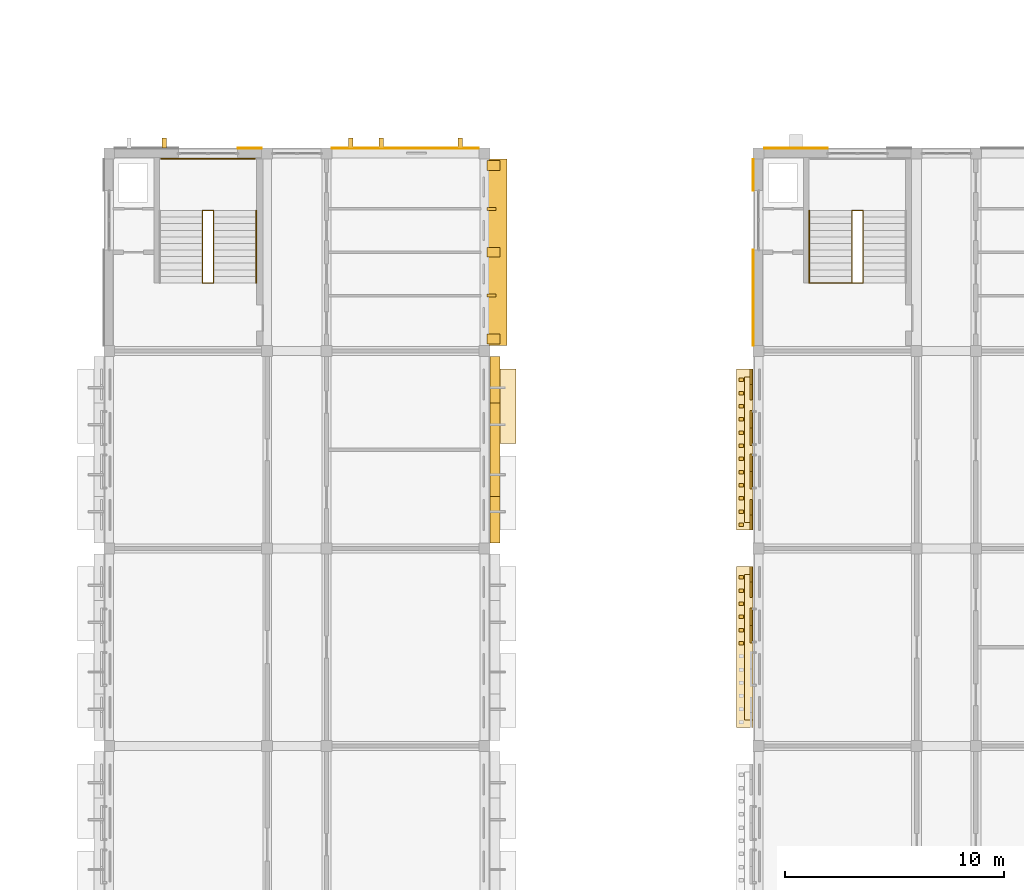
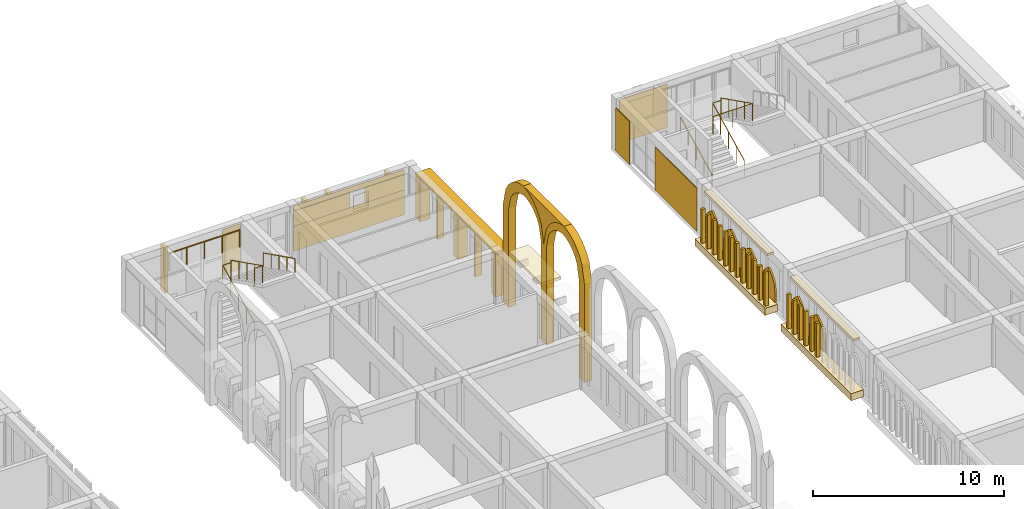
# One storey, part 61 of 70: 42 coverings, 7 shading devices, 5 railings.
"""IFC4 building model written with IfcOpenShell, lengths in metres."""

import ifcopenshell
import ifcopenshell.guid

model = None  # the IFC model being written
_history = None  # IfcOwnerHistory: only IFC2X3 demands one
_inside = {}  # id of a spatial element -> (the spatial element, [elements in it])
_under = {}  # id of a project, library or spatial element -> (it, [spatial elements below it])
_declared = {}  # id of a project -> (the project, [libraries it declares])
_typed = {}  # id of a type object -> (the type object, [elements of that type])
_made_of = {}  # id of a material, layer set ... -> (it, [elements and type objects made of it])


def new_model(schema):
    """Start an empty IFC model of exactly this schema.

    Asked for "IFC4X3", IfcOpenShell would pick the latest addendum, in which some entities
    have other attributes; the version numbers below select the first issue.
    IFC2X3 requires an IfcOwnerHistory on every rooted entity: one is made here for all.
    """
    global model, _history
    if schema == "IFC4X3":
        model = ifcopenshell.file(schema_version=(4, 3, 0, 0))
    else:
        model = ifcopenshell.file(schema=schema)
    _inside.clear()
    _under.clear()
    _declared.clear()
    _typed.clear()
    _made_of.clear()
    _history = None
    if model.schema == "IFC2X3":
        org = make("IfcOrganization", Name="unknown")
        user = make(
            "IfcPersonAndOrganization",
            ThePerson=make("IfcPerson", FamilyName="unknown"),
            TheOrganization=org,
        )
        app = make(
            "IfcApplication",
            ApplicationDeveloper=org,
            Version="unknown",
            ApplicationFullName="unknown",
            ApplicationIdentifier="unknown",
        )
        _history = make(
            "IfcOwnerHistory",
            OwningUser=user,
            OwningApplication=app,
            ChangeAction="ADDED",
            CreationDate=0,
        )
    return model


def make(cls, **values):
    """One entity of the class cls with the attributes given. An attribute that is None is left unset."""
    return model.create_entity(
        cls, **{name: value for name, value in values.items() if value is not None}
    )


def rooted(cls, **values):
    """An entity with a GlobalId (a new one), such as an element, a storey or a relation."""
    return make(cls, GlobalId=ifcopenshell.guid.new(), OwnerHistory=_history, **values)


def si_unit(unit_type, name, prefix=None):
    """IfcSIUnit, for example si_unit("LENGTHUNIT", "METRE", prefix="MILLI")."""
    return make("IfcSIUnit", UnitType=unit_type, Prefix=prefix, Name=name)


def assignment(units):
    """IfcUnitAssignment: the units of a project."""
    return None if units is None else make("IfcUnitAssignment", Units=units)


def point(xyz):
    """IfcCartesianPoint."""
    return None if xyz is None else make("IfcCartesianPoint", Coordinates=xyz)


def direction(xyz):
    """IfcDirection."""
    return None if xyz is None else make("IfcDirection", DirectionRatios=xyz)


def frame(location, z_axis=None, x_axis=None):
    """IfcAxis2Placement3D, a coordinate frame: its origin and axes. An axis left out is left unset."""
    return make(
        "IfcAxis2Placement3D",
        Location=point(location),
        Axis=direction(z_axis),
        RefDirection=direction(x_axis),
    )


def frame_2d(location, x_axis=None):
    """IfcAxis2Placement2D, a coordinate frame in the plane: its origin and x axis."""
    return make(
        "IfcAxis2Placement2D", Location=point(location), RefDirection=direction(x_axis)
    )


def origin():
    """The frame at (0, 0, 0) with its axes left unset."""
    return frame((0.0, 0.0, 0.0))


def origin_2d():
    """The frame at (0, 0) in the plane with its x axis left unset."""
    return frame_2d((0.0, 0.0))


def place(relative_to, where):
    """IfcLocalPlacement: puts the frame where relative to a parent placement (None: the world)."""
    return make(
        "IfcLocalPlacement", PlacementRelTo=relative_to, RelativePlacement=where
    )


def context(
    kind, dimensions, precision=None, world=None, true_north=None, identifier=None
):
    """IfcGeometricRepresentationContext, for example the 3D "Model" context."""
    return make(
        "IfcGeometricRepresentationContext",
        ContextIdentifier=identifier,
        ContextType=kind,
        CoordinateSpaceDimension=dimensions,
        Precision=precision,
        WorldCoordinateSystem=world,
        TrueNorth=true_north,
    )


def subcontext(parent, identifier, kind, view, scale=None):
    """IfcGeometricRepresentationSubContext, for example "Body" below "Model"."""
    return make(
        "IfcGeometricRepresentationSubContext",
        ContextIdentifier=identifier,
        ContextType=kind,
        ParentContext=parent,
        TargetScale=scale,
        TargetView=view,
    )


def project(units=None, contexts=None):
    """IfcProject with its units and contexts."""
    return rooted(
        "IfcProject",
        Name="project",
        RepresentationContexts=contexts,
        UnitsInContext=assignment(units),
    )


def spatial(cls, under=None, at=None, **own):
    """A site, building, storey or space (cls), placed at a placement, below another one or the project."""
    s = rooted(cls, ObjectPlacement=at, **own)
    if under is not None:
        _under.setdefault(under.id(), (under, []))[1].append(s)
    return s


def polyline(points):
    """IfcPolyline through the points."""
    return make("IfcPolyline", Points=[point(p) for p in points])


def profile(cls, at=None, kind="AREA", **sizes):
    """A parametric profile (cls). Its sizes go by their IFC names, for example OverallWidth=200.0."""
    return make(cls, ProfileType=kind, Position=at, **sizes)


def rectangle(**sizes):
    """IfcRectangleProfileDef."""
    return profile("IfcRectangleProfileDef", **sizes)


def circle(**sizes):
    """IfcCircleProfileDef."""
    return profile("IfcCircleProfileDef", **sizes)


def outline(outer, holes=None, kind="AREA"):
    """IfcArbitraryClosedProfileDef: a profile drawn as a closed curve; with holes, ...WithVoids."""
    if holes is None:
        return make("IfcArbitraryClosedProfileDef", ProfileType=kind, OuterCurve=outer)
    return make(
        "IfcArbitraryProfileDefWithVoids",
        ProfileType=kind,
        OuterCurve=outer,
        InnerCurves=holes,
    )


def extrude(swept, where, along, depth):
    """IfcExtrudedAreaSolid: the profile swept, set in the frame where, extruded along a direction by depth."""
    return make(
        "IfcExtrudedAreaSolid",
        SweptArea=swept,
        Position=where,
        ExtrudedDirection=direction(along),
        Depth=depth,
    )


def shape(context_of_items, identifier, shape_type, items):
    """IfcShapeRepresentation: the items that make up one representation, for example the "Body"."""
    return make(
        "IfcShapeRepresentation",
        ContextOfItems=context_of_items,
        RepresentationIdentifier=identifier,
        RepresentationType=shape_type,
        Items=items,
    )


def material(Name=None, Category=None):
    """IfcMaterial."""
    return make("IfcMaterial", Name=Name, Category=Category)


def layer(
    of_material, thickness, ventilated=None, Name=None, Category=None, Priority=None
):
    """IfcMaterialLayer: one layer of a wall or slab, of a material (None: an air gap)."""
    return make(
        "IfcMaterialLayer",
        Material=of_material,
        LayerThickness=thickness,
        IsVentilated=ventilated,
        Name=Name,
        Category=Category,
        Priority=Priority,
    )


def layer_set(layers, Name=None):
    """IfcMaterialLayerSet."""
    return make("IfcMaterialLayerSet", MaterialLayers=layers, LayerSetName=Name)


def made_of(thing, what):
    """Note that an element or type object is made of a material, layer set ...; save() writes the relation."""
    if what is not None:
        _made_of.setdefault(what.id(), (what, []))[1].append(thing)
    return thing


def type_object(cls, material=None, **own):
    """A type object (cls), such as IfcWallType, which elements share."""
    return made_of(rooted(cls, **own), material)


def element(
    cls,
    number,
    at=None,
    inside=None,
    cuts=None,
    type_object=None,
    material=None,
    context=None,
    identifier="Body",
    shape_type=None,
    held_by="IfcProductDefinitionShape",
    body=None,
    shapes=None,
    **own,
):
    """One element of the class cls, such as IfcWall. Its Tag is "e" and its number.

    at: its placement. inside: the storey or other place that contains it. cuts: it is an
    opening in that element (IfcRelVoidsElement). A single representation is given by context,
    identifier, shape_type and body (its items); several are given by shapes. held_by: the class
    of the entity that holds the representations. save() writes the other relations.
    """
    e = rooted(cls, Tag="e%d" % number, ObjectPlacement=at, **own)
    if body is not None:
        shapes = [shape(context, identifier, shape_type, body)]
    if shapes is not None:
        e.Representation = make(held_by, Representations=shapes)
    if inside is not None:
        _inside.setdefault(inside.id(), (inside, []))[1].append(e)
    if cuts is not None:
        rooted(
            "IfcRelVoidsElement", RelatingBuildingElement=cuts, RelatedOpeningElement=e
        )
    if type_object is not None:
        _typed.setdefault(type_object.id(), (type_object, []))[1].append(e)
    return made_of(e, material)


def aggregate(whole, parts):
    """IfcRelAggregates: a whole, such as a stair, and the parts it consists of."""
    return rooted("IfcRelAggregates", RelatingObject=whole, RelatedObjects=parts)


def save(model, path):
    """Write the relations noted so far, then the file.

    IfcRelAggregates (storeys below a building ...), IfcRelContainedInSpatialStructure (elements
    in a storey), IfcRelDefinesByType, IfcRelAssociatesMaterial and IfcRelDeclares: one each for
    every whole, place, type object, material and project.
    """
    for whole, parts in _under.values():
        aggregate(whole, parts)
    for where, things in _inside.values():
        rooted(
            "IfcRelContainedInSpatialStructure",
            RelatedElements=things,
            RelatingStructure=where,
        )
    for kind, things in _typed.values():
        rooted("IfcRelDefinesByType", RelatedObjects=things, RelatingType=kind)
    for what, things in _made_of.values():
        rooted("IfcRelAssociatesMaterial", RelatedObjects=things, RelatingMaterial=what)
    for by, libraries in _declared.values():
        rooted("IfcRelDeclares", RelatingContext=by, RelatedDefinitions=libraries)
    model.write(path)


model = new_model("IFC4")

# Units and contexts
model_context = context("Model", 3, precision=1e-05, world=origin(), true_north=direction((0.0, 1.0)))
body_context = subcontext(model_context, "Body", "Model", "MODEL_VIEW")
ifc_project = project(units=[si_unit("LENGTHUNIT", "METRE"), si_unit("AREAUNIT", "SQUARE_METRE"), si_unit("VOLUMEUNIT", "CUBIC_METRE"), si_unit("PLANEANGLEUNIT", "RADIAN"), si_unit("MASSUNIT", "GRAM", prefix="KILO")], contexts=[model_context])

# Site, building, storey
site_placement = place(None, origin())
site = spatial("IfcSite", under=ifc_project, at=site_placement, CompositionType="ELEMENT")
building_placement = place(site_placement, origin())
building = spatial("IfcBuilding", under=site, at=building_placement, Name="Elbe Cascade School", CompositionType="ELEMENT")
storey_placement = place(building_placement, frame((0.0, 0.0, 8.10009765625)))
storey = spatial("IfcBuildingStorey", under=building, at=storey_placement, Name="L02", CompositionType="ELEMENT", Elevation=8.10009765625)

# Railings
ifc_material_1 = material(Name="Steel S355J2H, painted", Category="steel")
railing_type_1 = type_object("IfcRailingType", Name="Bar stair guard 1100", PredefinedType="GUARDRAIL", material=ifc_material_1)
railing_1_placement = place(storey_placement, frame((102.85009765625, 54.10009765625, 0.14990234375)))
element("IfcRailing", 1, at=railing_1_placement, inside=storey, type_object=railing_type_1, Name="Stair guard B2.N", PredefinedType="GUARDRAIL", context=body_context, shape_type="SweptSolid", body=[
    extrude(circle(Radius=0.02392578125, at=origin_2d()), frame((0.0, 0.0, 1.09619140625), z_axis=(0.0, 0.894427191, 0.4472135955), x_axis=(-1.0, 0.0, 0.0)), (0.0, 0.0, 1.0), 3.689208984375),
    extrude(circle(Radius=0.02392578125, at=origin_2d()), frame((0.0, 3.2998046875, 2.74609375), z_axis=(1.0, 0.0, 0.0), x_axis=(0.0, 1.0, 0.0)), (0.0, 0.0, 1.0), 0.5),
    extrude(circle(Radius=0.02392578125, at=origin_2d()), frame((0.5, 3.2998046875, 2.74609375), z_axis=(0.0, 0.0, 1.0), x_axis=(1.0, 0.0, 0.0)), (0.0, 0.0, 1.0), 0.150146484375),
    extrude(circle(Radius=0.02392578125, at=origin_2d()), frame((0.5, 3.2998046875, 2.89599609375), z_axis=(0.0, -0.894427191, 0.4472135955), x_axis=(1.0, 0.0, 0.0)), (0.0, 0.0, 1.0), 3.689208984375),
    extrude(circle(Radius=0.02392578125, at=origin_2d()), frame((0.5, 0.0, 4.5458984375), z_axis=(-1.0, 0.0, 0.0), x_axis=(0.0, -1.0, 0.0)), (0.0, 0.0, 1.0), 0.5),
    extrude(circle(Radius=0.02099609375, at=origin_2d()), origin(), (0.0, 0.0, 1.0), 1.072021484375),
    extrude(circle(Radius=0.02099609375, at=origin_2d()), frame((0.0, 0.824951171875, 0.41259765625)), (0.0, 0.0, 1.0), 1.072021484375),
    extrude(circle(Radius=0.02099609375, at=origin_2d()), frame((0.0, 1.64990234375, 0.824951171875)), (0.0, 0.0, 1.0), 1.072021484375),
    extrude(circle(Radius=0.02099609375, at=origin_2d()), frame((0.0, 2.474853515625, 1.2373046875)), (0.0, 0.0, 1.0), 1.072021484375),
    extrude(circle(Radius=0.02099609375, at=origin_2d()), frame((0.0, 3.2998046875, 1.64990234375)), (0.0, 0.0, 1.0), 1.072021484375),
    extrude(circle(Radius=0.02099609375, at=origin_2d()), frame((0.5, 3.2998046875, 1.64990234375)), (0.0, 0.0, 1.0), 1.072021484375),
    extrude(circle(Radius=0.02099609375, at=origin_2d()), frame((0.5, 3.2998046875, 1.800048828125)), (0.0, 0.0, 1.0), 1.072021484375),
    extrude(circle(Radius=0.02099609375, at=origin_2d()), frame((0.5, 2.474853515625, 2.21240234375)), (0.0, 0.0, 1.0), 1.072021484375),
    extrude(circle(Radius=0.02099609375, at=origin_2d()), frame((0.5, 1.64990234375, 2.625)), (0.0, 0.0, 1.0), 1.072021484375),
    extrude(circle(Radius=0.02099609375, at=origin_2d()), frame((0.5, 0.824951171875, 3.03759765625)), (0.0, 0.0, 1.0), 1.072021484375),
    extrude(circle(Radius=0.02099609375, at=origin_2d()), frame((0.5, 0.0, 3.449951171875)), (0.0, 0.0, 1.0), 1.072021484375),
    extrude(circle(Radius=0.02099609375, at=origin_2d()), frame((0.0, 0.0, 3.449951171875)), (0.0, 0.0, 1.0), 1.072021484375),
])
railing_2_placement = place(storey_placement, frame((100.9599609375, 59.760009765625, 1.7998046875)))
element("IfcRailing", 2, at=railing_2_placement, inside=storey, type_object=railing_type_1, Name="Stair guard B2.N", PredefinedType="GUARDRAIL", context=body_context, shape_type="SweptSolid", body=[
    extrude(circle(Radius=0.02392578125, at=origin_2d()), frame((0.0, 0.0, 1.09619140625), z_axis=(1.0, 0.0, 0.0), x_axis=(0.0, 1.0, 0.0)), (0.0, 0.0, 1.0), 4.280029296875),
    extrude(circle(Radius=0.02099609375, at=origin_2d()), origin(), (0.0, 0.0, 1.0), 1.072021484375),
    extrude(circle(Radius=0.02099609375, at=origin_2d()), frame((1.070068359375, 0.0, 0.0)), (0.0, 0.0, 1.0), 1.072021484375),
    extrude(circle(Radius=0.02099609375, at=origin_2d()), frame((2.14013671875, 0.0, 0.0)), (0.0, 0.0, 1.0), 1.072021484375),
    extrude(circle(Radius=0.02099609375, at=origin_2d()), frame((3.2099609375, 0.0, 0.0)), (0.0, 0.0, 1.0), 1.072021484375),
    extrude(circle(Radius=0.02099609375, at=origin_2d()), frame((4.280029296875, 0.0, 0.0)), (0.0, 0.0, 1.0), 1.072021484375),
])
railing_3_placement = place(storey_placement, frame((132.449951171875, 54.10009765625, 0.14990234375)))
element("IfcRailing", 3, at=railing_3_placement, inside=storey, type_object=railing_type_1, Name="Stair guard C2.N", PredefinedType="GUARDRAIL", context=body_context, shape_type="SweptSolid", body=[
    extrude(circle(Radius=0.02392578125, at=origin_2d()), frame((0.0, 0.0, 1.09619140625), z_axis=(0.0, 0.894427191, 0.4472135955), x_axis=(-1.0, 0.0, 0.0)), (0.0, 0.0, 1.0), 3.689208984375),
    extrude(circle(Radius=0.02392578125, at=origin_2d()), frame((0.0, 3.2998046875, 2.74609375), z_axis=(1.0, 0.0, 0.0), x_axis=(0.0, 1.0, 0.0)), (0.0, 0.0, 1.0), 0.5),
    extrude(circle(Radius=0.02392578125, at=origin_2d()), frame((0.5, 3.2998046875, 2.74609375), z_axis=(0.0, 0.0, 1.0), x_axis=(1.0, 0.0, 0.0)), (0.0, 0.0, 1.0), 0.150146484375),
    extrude(circle(Radius=0.02392578125, at=origin_2d()), frame((0.5, 3.2998046875, 2.89599609375), z_axis=(0.0, -0.894427191, 0.4472135955), x_axis=(1.0, 0.0, 0.0)), (0.0, 0.0, 1.0), 3.689208984375),
    extrude(circle(Radius=0.02392578125, at=origin_2d()), frame((0.5, 0.0, 4.5458984375), z_axis=(-1.0, 0.0, 0.0), x_axis=(0.0, -1.0, 0.0)), (0.0, 0.0, 1.0), 2.389892578125),
    extrude(circle(Radius=0.02099609375, at=origin_2d()), origin(), (0.0, 0.0, 1.0), 1.072021484375),
    extrude(circle(Radius=0.02099609375, at=origin_2d()), frame((0.0, 0.824951171875, 0.41259765625)), (0.0, 0.0, 1.0), 1.072021484375),
    extrude(circle(Radius=0.02099609375, at=origin_2d()), frame((0.0, 1.64990234375, 0.824951171875)), (0.0, 0.0, 1.0), 1.072021484375),
    extrude(circle(Radius=0.02099609375, at=origin_2d()), frame((0.0, 2.474853515625, 1.2373046875)), (0.0, 0.0, 1.0), 1.072021484375),
    extrude(circle(Radius=0.02099609375, at=origin_2d()), frame((0.0, 3.2998046875, 1.64990234375)), (0.0, 0.0, 1.0), 1.072021484375),
    extrude(circle(Radius=0.02099609375, at=origin_2d()), frame((0.5, 3.2998046875, 1.64990234375)), (0.0, 0.0, 1.0), 1.072021484375),
    extrude(circle(Radius=0.02099609375, at=origin_2d()), frame((0.5, 3.2998046875, 1.800048828125)), (0.0, 0.0, 1.0), 1.072021484375),
    extrude(circle(Radius=0.02099609375, at=origin_2d()), frame((0.5, 2.474853515625, 2.21240234375)), (0.0, 0.0, 1.0), 1.072021484375),
    extrude(circle(Radius=0.02099609375, at=origin_2d()), frame((0.5, 1.64990234375, 2.625)), (0.0, 0.0, 1.0), 1.072021484375),
    extrude(circle(Radius=0.02099609375, at=origin_2d()), frame((0.5, 0.824951171875, 3.03759765625)), (0.0, 0.0, 1.0), 1.072021484375),
    extrude(circle(Radius=0.02099609375, at=origin_2d()), frame((0.5, 0.0, 3.449951171875)), (0.0, 0.0, 1.0), 1.072021484375),
    extrude(circle(Radius=0.02099609375, at=origin_2d()), frame((-0.69482421875, 0.0, 3.449951171875)), (0.0, 0.0, 1.0), 1.072021484375),
    extrude(circle(Radius=0.02099609375, at=origin_2d()), frame((-1.889892578125, 0.0, 3.449951171875)), (0.0, 0.0, 1.0), 1.072021484375),
])
ifc_material_2 = material(Name="Steel S355J2H, painted", Category="steel")
railing_type_2 = type_object("IfcRailingType", Name="Bar stair handrail 900", PredefinedType="HANDRAIL", material=ifc_material_2)
railing_4_placement = place(storey_placement, frame((105.300048828125, 57.39990234375, 1.949951171875)))
element("IfcRailing", 4, at=railing_4_placement, inside=storey, type_object=railing_type_2, Name="Stair handrail B2.N", PredefinedType="HANDRAIL", context=body_context, shape_type="SweptSolid", body=[
    extrude(circle(Radius=0.02392578125, at=origin_2d()), frame((0.0, 0.0, 0.8759765625), z_axis=(0.0, -0.894427191, 0.4472135955), x_axis=(1.0, 0.0, 0.0)), (0.0, 0.0, 1.0), 3.689208984375),
    extrude(circle(Radius=0.02099609375, at=origin_2d()), origin(), (0.0, 0.0, 1.0), 0.851806640625),
    extrude(circle(Radius=0.02099609375, at=origin_2d()), frame((0.0, -0.824951171875, 0.41259765625)), (0.0, 0.0, 1.0), 0.851806640625),
    extrude(circle(Radius=0.02099609375, at=origin_2d()), frame((0.0, -1.64990234375, 0.824951171875)), (0.0, 0.0, 1.0), 0.851806640625),
    extrude(circle(Radius=0.02099609375, at=origin_2d()), frame((0.0, -2.474853515625, 1.2373046875)), (0.0, 0.0, 1.0), 0.851806640625),
    extrude(circle(Radius=0.02099609375, at=origin_2d()), frame((0.0, -3.2998046875, 1.64990234375)), (0.0, 0.0, 1.0), 0.851806640625),
])
railing_5_placement = place(storey_placement, frame((130.5, 54.10009765625, 0.14990234375)))
element("IfcRailing", 5, at=railing_5_placement, inside=storey, type_object=railing_type_2, Name="Stair handrail C2.N", PredefinedType="HANDRAIL", context=body_context, shape_type="SweptSolid", body=[
    extrude(circle(Radius=0.02392578125, at=origin_2d()), frame((0.0, 0.0, 0.8759765625), z_axis=(0.0, 0.894427191, 0.4472135955), x_axis=(-1.0, 0.0, 0.0)), (0.0, 0.0, 1.0), 3.689208984375),
    extrude(circle(Radius=0.02099609375, at=origin_2d()), origin(), (0.0, 0.0, 1.0), 0.851806640625),
    extrude(circle(Radius=0.02099609375, at=origin_2d()), frame((0.0, 0.824951171875, 0.41259765625)), (0.0, 0.0, 1.0), 0.851806640625),
    extrude(circle(Radius=0.02099609375, at=origin_2d()), frame((0.0, 1.64990234375, 0.824951171875)), (0.0, 0.0, 1.0), 0.851806640625),
    extrude(circle(Radius=0.02099609375, at=origin_2d()), frame((0.0, 2.474853515625, 1.2373046875)), (0.0, 0.0, 1.0), 0.851806640625),
    extrude(circle(Radius=0.02099609375, at=origin_2d()), frame((0.0, 3.2998046875, 1.64990234375)), (0.0, 0.0, 1.0), 0.851806640625),
])

# Shading devices
ifc_material_3 = material(Name="Precast concrete C30/37", Category="concrete")
ifc_layer_1 = layer(ifc_material_3, 0.1201171875)
ifc_layer_set_1 = layer_set([ifc_layer_1], Name="Precast concrete C30/37")
shading_device_type_1 = type_object("IfcShadingDeviceType", Name="Bars envelope Chhajja eave, precast concrete, 900 x 120", PredefinedType="USERDEFINED", material=ifc_layer_set_1)
shading_device_1_placement = place(storey_placement, frame((116.27001953125, 55.5, 2.729736328125), z_axis=(0.0, 0.0, 1.0), x_axis=(0.0, 1.0, 0.0)))
element("IfcShadingDevice", 6, at=shading_device_1_placement, inside=storey, type_object=shading_device_type_1, Name="Chhajja eave SD2 B.L02.e6", ObjectType="CHHAJJA", PredefinedType="USERDEFINED", context=body_context, shape_type="SweptSolid", body=[
    extrude(rectangle(XDim=8.5, YDim=0.89990234375, at=origin_2d()), origin(), (0.0, 0.0, 1.0), 0.1201171875),
])
ifc_material_4 = material(Name="Precast concrete C40/50", Category="concrete")
ifc_layer_2 = layer(ifc_material_4, 0.10009765625)
ifc_layer_set_2 = layer_set([ifc_layer_2], Name="Precast concrete C40/50")
shading_device_type_2 = type_object("IfcShadingDeviceType", Name="Bars envelope Jali screen 1400 x 1840, pointed arch rise 1200, pierced precast concrete", PredefinedType="USERDEFINED", material=ifc_layer_set_2)
shading_device_2_placement = place(storey_placement, frame((127.800048828125, 39.77001953125, 1.239990234375), z_axis=(-1.0, 0.0, 0.0), x_axis=(0.0, 0.178010233327, 0.984028636184)))
element("IfcShadingDevice", 7, at=shading_device_2_placement, inside=storey, type_object=shading_device_type_2, Name="Jali screen SD6 C.L02.w4.4", ObjectType="JALI", PredefinedType="USERDEFINED", context=body_context, shape_type="SweptSolid", body=[
    extrude(outline(polyline([(0.0, 0.0), (0.4909961754247877, 0.0), (0.6925449640407739, 0.05260897455936113), (0.8428788821146216, 0.11423458756170396), (0.9653882612323997, 0.18114174736631955), (1.0691153542525929, 0.2511985091151042), (1.1586682066636846, 0.32381938311151803), (1.2367329330241117, 0.3987665558959881), (1.3053847865709356, 0.4751684089694145), (1.26789341576225, 0.5710196155015056), (1.2209891721399608, 0.6683255023225533), (1.1625533429373862, 0.767717446565401), (1.0899867326553312, 0.869913744422134), (0.9986378362756912, 0.9752596442230361), (0.8794644009399817, 1.0858870908262108), (0.7090760950621335, 1.205531175872367), (0.2491969428458631, 1.3775439941116288), (-0.38071591947724304, 1.491494880777456), (-0.6299128623231062, 0.11395088666582719), (0.0, 0.0)])), origin(), (0.0, 0.0, -1.0), 0.10009765625),
])
shading_device_3_placement = place(storey_placement, frame((127.800048828125, 42.830078125, 1.239990234375), z_axis=(-1.0, 0.0, 0.0), x_axis=(0.0, 0.178010233327, 0.984028636184)))
element("IfcShadingDevice", 8, at=shading_device_3_placement, inside=storey, type_object=shading_device_type_2, Name="Jali screen SD6 C.L02.w5.1", ObjectType="JALI", PredefinedType="USERDEFINED", context=body_context, shape_type="SweptSolid", body=[
    extrude(outline(polyline([(0.0, 0.0), (0.4909961754247877, 0.0), (0.6925015045111531, 0.05236873319310516), (0.8428788821146216, 0.11423458756170396), (0.9653448017027789, 0.1809015060000636), (1.0691153542525929, 0.2511985091151042), (1.1586682066636846, 0.32381938311151803), (1.2366894734944909, 0.3985263145297321), (1.3053847865709356, 0.4751684089694145), (1.267849956232629, 0.5707793741352497), (1.2209891721399608, 0.6683255023225533), (1.1625533429373862, 0.767717446565401), (1.0899432731257104, 0.8696735030558779), (0.9986378362756912, 0.9752596442230361), (0.8794209414103609, 1.0856468494599547), (0.7090760950621335, 1.205531175872367), (0.2491969428458631, 1.3775439941116288), (-0.38071591947724304, 1.491494880777456), (-0.6299128623231062, 0.11395088666582719), (0.0, 0.0)])), origin(), (0.0, 0.0, -1.0), 0.10009765625),
])
shading_device_4_placement = place(storey_placement, frame((127.800048828125, 48.77001953125, 1.239990234375), z_axis=(-1.0, 0.0, 0.0), x_axis=(0.0, 0.178010233327, 0.984028636184)))
element("IfcShadingDevice", 9, at=shading_device_4_placement, inside=storey, type_object=shading_device_type_2, Name="Jali screen SD6 C.L02.w5.4", ObjectType="JALI", PredefinedType="USERDEFINED", context=body_context, shape_type="SweptSolid", body=[
    extrude(outline(polyline([(0.0, 0.0), (0.4909961754247877, 0.0), (0.6925449640407739, 0.05260897455936113), (0.8428788821146216, 0.11423458756170396), (0.9653882612323997, 0.18114174736631955), (1.0691153542525929, 0.2511985091151042), (1.1586682066636846, 0.32381938311151803), (1.2367329330241117, 0.3987665558959881), (1.3053847865709356, 0.4751684089694145), (1.26789341576225, 0.5710196155015056), (1.2209891721399608, 0.6683255023225533), (1.1625533429373862, 0.767717446565401), (1.0899867326553312, 0.869913744422134), (0.9986378362756912, 0.9752596442230361), (0.8794644009399817, 1.0858870908262108), (0.7090760950621335, 1.205531175872367), (0.2491969428458631, 1.3775439941116288), (-0.38071591947724304, 1.491494880777456), (-0.6299128623231062, 0.11395088666582719), (0.0, 0.0)])), origin(), (0.0, 0.0, -1.0), 0.10009765625),
])
ifc_material_5 = material(Name="Precast concrete C40/50", Category="concrete")
ifc_layer_3 = layer(ifc_material_5, 0.10009765625)
ifc_layer_set_3 = layer_set([ifc_layer_3], Name="Precast concrete C40/50")
shading_device_type_3 = type_object("IfcShadingDeviceType", Name="Bars envelope Jali screen 1600 x 1840, pointed arch rise 1200, pierced precast concrete", PredefinedType="USERDEFINED", material=ifc_layer_set_3)
for number, where, z_axis, x_axis, name in (
    (10, (127.800048828125, 37.68994140625, 1.239990234375), (-1.0, 0.0, 0.0), (0.0, 0.196300278283, 0.98054382908), "Jali screen SD7 C.L02.w4.3"),
    (11, (127.800048828125, 44.7099609375, 1.239990234375), (-1.0, 0.0, 0.0), (0.0, 0.196300278283, 0.98054382908), "Jali screen SD7 C.L02.w5.2"),
    (12, (127.800048828125, 46.68994140625, 1.239990234375), (-1.0, 0.0, 0.0), (0.0, 0.196300278283, 0.98054382908), "Jali screen SD7 C.L02.w5.3"),
):
    element("IfcShadingDevice", number, at=place(storey_placement, frame(where, z_axis=z_axis, x_axis=x_axis)), inside=storey, type_object=shading_device_type_3, Name=name, ObjectType="JALI", PredefinedType="USERDEFINED", context=body_context, shape_type="SweptSolid", body=[
        extrude(outline(polyline([(0.0, 0.0), (0.509921112317134, 0.0), (0.7184015554229473, 0.06009802405484588), (0.8733064327485943, 0.13117061016154), (0.9982874871653163, 0.20823380534668107), (1.102872417131342, 0.2891312241218946), (1.1917054934740825, 0.37343107507379947), (1.268281725197354, 0.45993570394643946), (1.3336545243794973, 0.5489321924158467), (1.3075801207519657, 0.6562359822289878), (1.2702064348380508, 0.7655528504723534), (1.220671754049922, 0.877553277802997), (1.155289369893253, 0.9924773561437888), (1.0696067110311427, 1.1117144392411962), (0.9540002292601073, 1.2369421314170506), (0.7847223319636507, 1.37266560447821), (0.31409961520112845, 1.5689658827607584), (-0.3135824941364835, 1.6946248987902608), (-0.6276821093376119, 0.12565901602950239), (0.0, 0.0)])), origin(), (0.0, 0.0, -1.0), 0.10009765625),
    ])

# Coverings
ifc_material_6 = material(Name="Precast concrete C40/50", Category="concrete")
covering_type_1 = type_object("IfcCoveringType", Name="Bars envelope Precast concrete fin, 140 wide, 400 deep", PredefinedType="CLADDING", material=ifc_material_6)
for number, where, z_axis, x_axis, name in (
    (13, (116.02001953125, 53.52001953125, 0.0), (0.0, 0.0, 1.0), (0.0, 1.0, 0.0), "Fin CV56 B.L02.e6.4"),
    (14, (116.02001953125, 57.47998046875, 0.0), (0.0, 0.0, 1.0), (0.0, 1.0, 0.0), "Fin CV56 B.L02.e6.5"),
):
    element("IfcCovering", number, at=place(storey_placement, frame(where, z_axis=z_axis, x_axis=x_axis)), inside=storey, type_object=covering_type_1, Name=name, PredefinedType="CLADDING", context=body_context, shape_type="SweptSolid", body=[
        extrude(rectangle(XDim=0.139892578125, YDim=0.39990234375, at=origin_2d()), origin(), (0.0, 0.0, 1.0), 2.72998046875),
    ])
ifc_material_7 = material(Name="Precast concrete C40/50", Category="concrete")
covering_type_2 = type_object("IfcCoveringType", Name="Bars envelope Precast concrete fin, 450 wide, 600 deep", PredefinedType="CLADDING", material=ifc_material_7)
for number, where, z_axis, x_axis, name in (
    (15, (116.1201171875, 51.5400390625, 0.0), (0.0, 0.0, 1.0), (0.0, 1.0, 0.0), "Fin CV55 B.L02.e6.1"),
    (16, (116.1201171875, 55.5, 0.0), (0.0, 0.0, 1.0), (0.0, 1.0, 0.0), "Fin CV55 B.L02.e6.2"),
    (17, (116.1201171875, 59.4599609375, 0.0), (0.0, 0.0, 1.0), (0.0, 1.0, 0.0), "Fin CV55 B.L02.e6.3"),
):
    element("IfcCovering", number, at=place(storey_placement, frame(where, z_axis=z_axis, x_axis=x_axis)), inside=storey, type_object=covering_type_2, Name=name, PredefinedType="CLADDING", context=body_context, shape_type="SweptSolid", body=[
        extrude(rectangle(XDim=0.449951171875, YDim=0.60009765625, at=origin_2d()), origin(), (0.0, 0.0, 1.0), 2.72998046875),
    ])
ifc_material_8 = material(Name="Precast concrete C40/50", Category="concrete")
covering_type_3 = type_object("IfcCoveringType", Name="Bars envelope Precast concrete gable fin, 200 wide, 450 deep", PredefinedType="CLADDING", material=ifc_material_8)
for number, where, z_axis, x_axis, name in (
    (18, (101.10009765625, 60.485107421875, 0.0), (0.0, 0.0, 1.0), (1.0, 0.0, 0.0), "Fin CV57 B.L02.n.2"),
    (19, (109.60009765625, 60.485107421875, 0.0), (0.0, 0.0, 1.0), (1.0, 0.0, 0.0), "Fin CV57 B.L02.n.3"),
    (20, (111.0, 60.485107421875, 0.0), (0.0, 0.0, 1.0), (1.0, 0.0, 0.0), "Fin CV57 B.L02.n.4"),
    (21, (114.60009765625, 60.485107421875, 0.0), (0.0, 0.0, 1.0), (1.0, 0.0, 0.0), "Fin CV57 B.L02.n.5"),
):
    element("IfcCovering", number, at=place(storey_placement, frame(where, z_axis=z_axis, x_axis=x_axis)), inside=storey, type_object=covering_type_3, Name=name, PredefinedType="CLADDING", context=body_context, shape_type="SweptSolid", body=[
        extrude(rectangle(XDim=0.199951171875, YDim=0.449951171875, at=origin_2d()), origin(), (0.0, 0.0, 1.0), 2.89990234375),
    ])
ifc_material_9 = material(Name="Sandstone - red", Category="masonry")
covering_type_4 = type_object("IfcCoveringType", Name="Bars envelope Sandstone arch frame double, 8500 wide, 450 deep", PredefinedType="CLADDING", material=ifc_material_9)
covering_1_placement = place(storey_placement, frame((116.39990234375, 42.830078125, 0.0), z_axis=(1.0, 0.0, 0.0), x_axis=(0.0, 0.0, 1.0)))
element("IfcCovering", 22, at=covering_1_placement, inside=storey, type_object=covering_type_4, Name="Arch frame CV58 B.L02.e5", PredefinedType="CLADDING", context=body_context, shape_type="SweptSolid", body=[
    extrude(outline(polyline([(0.0, 0.0), (6.2998046875, 0.0), (7.152099609375, -0.211181640625), (7.467529296875, -0.42236328125), (7.6826171875, -0.633544921875), (7.839599609375, -0.844970703125), (7.955078125, -1.05615234375), (8.03759765625, -1.267333984375), (8.091796875, -1.478515625), (8.119873046875, -1.68994140625), (8.091796875, -1.901123046875), (8.03759765625, -2.1123046875), (7.955078125, -2.32373046875), (7.839599609375, -2.534912109375), (7.6826171875, -2.74609375), (7.467529296875, -2.95751953125), (7.152099609375, -3.168701171875), (6.2998046875, -3.3798828125), (0.0, -3.3798828125), (0.0, -3.9599609375), (6.2998046875, -3.9599609375), (7.152099609375, -4.171142578125), (7.467529296875, -4.38232421875), (7.6826171875, -4.593505859375), (7.839599609375, -4.804931640625), (7.955078125, -5.01611328125), (8.03759765625, -5.2275390625), (8.091796875, -5.438720703125), (8.119873046875, -5.64990234375), (8.091796875, -5.861083984375), (8.03759765625, -6.072509765625), (7.955078125, -6.28369140625), (7.839599609375, -6.494873046875), (7.6826171875, -6.7060546875), (7.467529296875, -6.91748046875), (7.152099609375, -7.128662109375), (6.2998046875, -7.33984375), (0.0, -7.33984375), (0.0, -7.919921875), (6.2998046875, -7.919921875), (7.401611328125, -7.654296875), (7.81201171875, -7.388671875), (8.093994140625, -7.123046875), (8.302001953125, -6.857421875), (8.458251953125, -6.591796875), (8.572998046875, -6.326171875), (8.65234375, -6.060546875), (8.699951171875, -5.794921875), (8.65234375, -5.529296875), (8.572998046875, -5.263671875), (8.458251953125, -4.998046875), (8.302001953125, -4.732421875), (8.093994140625, -4.466796875), (7.81201171875, -4.201171875), (7.401611328125, -3.935546875), (6.2998046875, -3.669921875), (7.401611328125, -3.404296875), (7.81201171875, -3.138671875), (8.093994140625, -2.873046875), (8.302001953125, -2.607421875), (8.458251953125, -2.341796875), (8.572998046875, -2.076171875), (8.65234375, -1.810546875), (8.699951171875, -1.544921875), (8.65234375, -1.279296875), (8.572998046875, -1.013671875), (8.458251953125, -0.748046875), (8.302001953125, -0.482421875), (8.093994140625, -0.216796875), (7.81201171875, 0.048828125), (7.401611328125, 0.314453125), (6.2998046875, 0.580078125), (0.0, 0.580078125), (0.0, 0.0)])), origin(), (0.0, 0.0, -1.0), 0.449951171875),
])
ifc_material_10 = material(Name="Sandstone - red", Category="masonry")
covering_type_5 = type_object("IfcCoveringType", Name="Bars envelope Sandstone arch spandrel, 4250 wide, 450 deep", PredefinedType="CLADDING", material=ifc_material_10)
covering_2_placement = place(storey_placement, frame((116.39990234375, 46.765625, 7.401611328125), z_axis=(1.0, 0.0, 0.0), x_axis=(0.0, 0.543354809623, 0.839503157147)))
element("IfcCovering", 23, at=covering_2_placement, inside=storey, type_object=covering_type_5, Name="Arch spandrel CV59 B.L02.e5", PredefinedType="CLADDING", context=body_context, shape_type="SweptSolid", body=[
    extrude(outline(polyline([(0.0, 0.0), (0.4888610449301034, 2.7755575615628914e-17), (0.8699147996601779, -0.06977652096230302), (1.1888666362712244, -0.17974750171848036), (1.4643676258814988, -0.31784133883208776), (1.7050259551609652, -0.47848652302476646), (1.9159655447465072, -0.658366679726065), (2.100260747020255, -0.8554919841937122), (-0.20899719387665017, 2.71239643368101), (-0.10463515353828501, 2.4635356859143167), (-0.02691750051171382, 2.197429790381275), (0.0210814128209329, 1.9120889223396134), (0.03423766582277166, 1.6041967072188805), (0.003943071823838462, 1.2681816357407176), (-0.08845344029412289, 0.8919721044686806), (-0.2886572426121132, 0.44598605223434024), (-1.0692987746762668, -0.37567891134076503), (0.0, 0.0)])), origin(), (0.0, 0.0, -1.0), 0.449951171875),
])
ifc_material_11 = material(Name="Sandstone - red", Category="masonry")
covering_type_6 = type_object("IfcCoveringType", Name="Bars envelope Sandstone chhajja slab, 1200 deep", PredefinedType="CLADDING", material=ifc_material_11)
covering_3_placement = place(storey_placement, frame((116.550048828125, 48.47998046875, 3.419921875), z_axis=(0.0, 0.0, 1.0), x_axis=(0.0, 1.0, 0.0)))
element("IfcCovering", 24, at=covering_3_placement, inside=storey, type_object=covering_type_6, Name="Chhajja slab CV61 B.L02.e4.2", PredefinedType="CLADDING", context=body_context, shape_type="SweptSolid", body=[
    extrude(rectangle(XDim=3.3798828125, YDim=1.199951171875, at=origin_2d()), origin(), (0.0, 0.0, 1.0), 0.179931640625),
])
ifc_material_12 = material(Name="Sandstone - red", Category="masonry")
ifc_layer_4 = layer(ifc_material_12, 0.0400390625)
ifc_layer_set_4 = layer_set([ifc_layer_4], Name="Sandstone - red")
covering_type_7 = type_object("IfcCoveringType", Name="Bars envelope Sandstone cladding, red, 40 mm", PredefinedType="CLADDING", material=ifc_layer_set_4)
covering_4_placement = place(storey_placement, frame((105.0, 60.239990234375, 0.0), z_axis=(0.0, 0.0, 1.0), x_axis=(1.0, 0.0, 0.0)))
element("IfcCovering", 25, at=covering_4_placement, inside=storey, type_object=covering_type_7, Name="Sandstone cladding CV48 B.L02.n.1b.1", PredefinedType="CLADDING", context=body_context, shape_type="SweptSolid", body=[
    extrude(rectangle(XDim=1.10009765625, YDim=0.0400390625, at=origin_2d()), origin(), (0.0, 0.0, 1.0), 2.89990234375),
])
covering_5_placement = place(storey_placement, frame((112.10009765625, 60.239990234375, -0.000244140625), z_axis=(0.0, 0.0, 1.0), x_axis=(1.0, 0.0, 0.0)))
element("IfcCovering", 26, at=covering_5_placement, inside=storey, type_object=covering_type_7, Name="Sandstone cladding CV48 B.L02.n.3.1", PredefinedType="CLADDING", context=body_context, shape_type="SweptSolid", body=[
    extrude(rectangle(XDim=6.699951171875, YDim=0.0400390625, at=origin_2d()), origin(), (0.0, 0.0, 1.0), 1.60009765625),
])
covering_6_placement = place(storey_placement, frame((110.449951171875, 60.239990234375, 1.599853515625), z_axis=(0.0, 0.0, 1.0), x_axis=(1.0, 0.0, 0.0)))
element("IfcCovering", 27, at=covering_6_placement, inside=storey, type_object=covering_type_7, Name="Sandstone cladding CV48 B.L02.n.3.2", PredefinedType="CLADDING", context=body_context, shape_type="SweptSolid", body=[
    extrude(rectangle(XDim=3.39990234375, YDim=0.0400390625, at=origin_2d()), origin(), (0.0, 0.0, 1.0), 1.0),
])
covering_7_placement = place(storey_placement, frame((114.25, 60.239990234375, 1.599853515625), z_axis=(0.0, 0.0, 1.0), x_axis=(1.0, 0.0, 0.0)))
element("IfcCovering", 28, at=covering_7_placement, inside=storey, type_object=covering_type_7, Name="Sandstone cladding CV48 B.L02.n.3.3", PredefinedType="CLADDING", context=body_context, shape_type="SweptSolid", body=[
    extrude(rectangle(XDim=2.39990234375, YDim=0.0400390625, at=origin_2d()), origin(), (0.0, 0.0, 1.0), 1.0),
])
covering_8_placement = place(storey_placement, frame((112.10009765625, 60.239990234375, 2.60009765625), z_axis=(0.0, 0.0, 1.0), x_axis=(1.0, 0.0, 0.0)))
element("IfcCovering", 29, at=covering_8_placement, inside=storey, type_object=covering_type_7, Name="Sandstone cladding CV48 B.L02.n.3.4", PredefinedType="CLADDING", context=body_context, shape_type="SweptSolid", body=[
    extrude(rectangle(XDim=6.699951171875, YDim=0.0400390625, at=origin_2d()), origin(), (0.0, 0.0, 1.0), 0.300048828125),
])
covering_9_placement = place(storey_placement, frame((127.9599609375, 53.429931640625, 0.0), z_axis=(0.0, 0.0, 1.0), x_axis=(0.0, 1.0, 0.0)))
element("IfcCovering", 30, at=covering_9_placement, inside=storey, type_object=covering_type_7, Name="Sandstone cladding CV48 C.L02.w.6a.1", PredefinedType="CLADDING", context=body_context, shape_type="SweptSolid", body=[
    extrude(rectangle(XDim=4.360107421875, YDim=0.0400390625, at=origin_2d()), origin(), (0.0, 0.0, 1.0), 2.75),
])
covering_10_placement = place(storey_placement, frame((127.9599609375, 59.030029296875, 0.0), z_axis=(0.0, 0.0, 1.0), x_axis=(0.0, 1.0, 0.0)))
element("IfcCovering", 31, at=covering_10_placement, inside=storey, type_object=covering_type_7, Name="Sandstone cladding CV48 C.L02.w.6b.1", PredefinedType="CLADDING", context=body_context, shape_type="SweptSolid", body=[
    extrude(rectangle(XDim=1.43994140625, YDim=0.0400390625, at=origin_2d()), origin(), (0.0, 0.0, 1.0), 2.75),
])
covering_11_placement = place(storey_placement, frame((129.89990234375, 60.239990234375, 0.0), z_axis=(0.0, 0.0, 1.0), x_axis=(1.0, 0.0, 0.0)))
element("IfcCovering", 32, at=covering_11_placement, inside=storey, type_object=covering_type_7, Name="Sandstone cladding CV48 C.L02.n.1a.1", PredefinedType="CLADDING", context=body_context, shape_type="SweptSolid", body=[
    extrude(rectangle(XDim=2.89990234375, YDim=0.0400390625, at=origin_2d()), origin(), (0.0, 0.0, 1.0), 2.800048828125),
])
ifc_material_13 = material(Name="Sandstone - red", Category="masonry")
covering_type_8 = type_object("IfcCoveringType", Name="Bars envelope Sandstone floor ledge, 400 deep", PredefinedType="CLADDING", material=ifc_material_13)
for number, where, z_axis, x_axis, name in (
    (33, (127.75, 37.5, 3.4599609375), (0.0, 0.0, 1.0), (0.0, 1.0, 0.0), "Floor ledge CV64 C.L02.w3.1"),
    (34, (127.75, 46.5, 3.4599609375), (0.0, 0.0, 1.0), (0.0, 1.0, 0.0), "Floor ledge CV64 C.L02.w4.1"),
):
    element("IfcCovering", number, at=place(storey_placement, frame(where, z_axis=z_axis, x_axis=x_axis)), inside=storey, type_object=covering_type_8, Name=name, PredefinedType="CLADDING", context=body_context, shape_type="SweptSolid", body=[
        extrude(rectangle(XDim=6.639892578125, YDim=0.39990234375, at=origin_2d()), origin(), (0.0, 0.0, 1.0), 0.139892578125),
    ])
ifc_material_14 = material(Name="Sandstone - red", Category="masonry")
covering_type_9 = type_object("IfcCoveringType", Name="Bars envelope Sandstone planter kerb, 750 deep", PredefinedType="CLADDING", material=ifc_material_14)
for number, where, z_axis, x_axis, name in (
    (35, (127.574951171875, 37.5, 0.0), (0.0, 0.0, 1.0), (0.0, 1.0, 0.0), "Planter kerb CV65 C.L02.w3.1"),
    (36, (127.574951171875, 46.5, 0.0), (0.0, 0.0, 1.0), (0.0, 1.0, 0.0), "Planter kerb CV65 C.L02.w4.1"),
):
    element("IfcCovering", number, at=place(storey_placement, frame(where, z_axis=z_axis, x_axis=x_axis)), inside=storey, type_object=covering_type_9, Name=name, PredefinedType="CLADDING", context=body_context, shape_type="SweptSolid", body=[
        extrude(rectangle(XDim=7.340087890625, YDim=0.75, at=origin_2d()), origin(), (0.0, 0.0, 1.0), 0.449951171875),
    ])
ifc_material_15 = material(Name="Sandstone - red", Category="masonry")
covering_type_10 = type_object("IfcCoveringType", Name="Bars envelope Sandstone slat, 160 wide, 200 deep", PredefinedType="CLADDING", material=ifc_material_15)
for number, where, z_axis, x_axis, name in (
    (37, (127.39990234375, 37.679931640625, 0.44970703125), (0.0, 0.0, 1.0), (0.0, 1.0, 0.0), "Slat CV66 C.L02.w3.1.7"),
    (38, (127.39990234375, 38.280029296875, 0.44970703125), (0.0, 0.0, 1.0), (0.0, 1.0, 0.0), "Slat CV66 C.L02.w3.1.8"),
    (39, (127.39990234375, 38.8798828125, 0.44970703125), (0.0, 0.0, 1.0), (0.0, 1.0, 0.0), "Slat CV66 C.L02.w3.1.9"),
    (40, (127.39990234375, 39.47998046875, 0.44970703125), (0.0, 0.0, 1.0), (0.0, 1.0, 0.0), "Slat CV66 C.L02.w3.1.10"),
    (41, (127.39990234375, 40.080078125, 0.44970703125), (0.0, 0.0, 1.0), (0.0, 1.0, 0.0), "Slat CV66 C.L02.w3.1.11"),
    (42, (127.39990234375, 40.679931640625, 0.44970703125), (0.0, 0.0, 1.0), (0.0, 1.0, 0.0), "Slat CV66 C.L02.w3.1.12"),
    (43, (127.39990234375, 43.080078125, 0.44970703125), (0.0, 0.0, 1.0), (0.0, 1.0, 0.0), "Slat CV66 C.L02.w4.1.1"),
    (44, (127.39990234375, 43.679931640625, 0.44970703125), (0.0, 0.0, 1.0), (0.0, 1.0, 0.0), "Slat CV66 C.L02.w4.1.2"),
    (45, (127.39990234375, 44.280029296875, 0.44970703125), (0.0, 0.0, 1.0), (0.0, 1.0, 0.0), "Slat CV66 C.L02.w4.1.3"),
    (46, (127.39990234375, 44.8798828125, 0.44970703125), (0.0, 0.0, 1.0), (0.0, 1.0, 0.0), "Slat CV66 C.L02.w4.1.4"),
    (47, (127.39990234375, 45.47998046875, 0.44970703125), (0.0, 0.0, 1.0), (0.0, 1.0, 0.0), "Slat CV66 C.L02.w4.1.5"),
    (48, (127.39990234375, 46.080078125, 0.44970703125), (0.0, 0.0, 1.0), (0.0, 1.0, 0.0), "Slat CV66 C.L02.w4.1.6"),
    (49, (127.39990234375, 46.679931640625, 0.44970703125), (0.0, 0.0, 1.0), (0.0, 1.0, 0.0), "Slat CV66 C.L02.w4.1.7"),
    (50, (127.39990234375, 47.280029296875, 0.44970703125), (0.0, 0.0, 1.0), (0.0, 1.0, 0.0), "Slat CV66 C.L02.w4.1.8"),
    (51, (127.39990234375, 47.8798828125, 0.44970703125), (0.0, 0.0, 1.0), (0.0, 1.0, 0.0), "Slat CV66 C.L02.w4.1.9"),
    (52, (127.39990234375, 48.47998046875, 0.44970703125), (0.0, 0.0, 1.0), (0.0, 1.0, 0.0), "Slat CV66 C.L02.w4.1.10"),
    (53, (127.39990234375, 49.080078125, 0.44970703125), (0.0, 0.0, 1.0), (0.0, 1.0, 0.0), "Slat CV66 C.L02.w4.1.11"),
    (54, (127.39990234375, 49.679931640625, 0.44970703125), (0.0, 0.0, 1.0), (0.0, 1.0, 0.0), "Slat CV66 C.L02.w4.1.12"),
):
    element("IfcCovering", number, at=place(storey_placement, frame(where, z_axis=z_axis, x_axis=x_axis)), inside=storey, type_object=covering_type_10, Name=name, PredefinedType="CLADDING", context=body_context, shape_type="SweptSolid", body=[
        extrude(rectangle(XDim=0.159912109375, YDim=0.199951171875, at=origin_2d()), origin(), (0.0, 0.0, 1.0), 2.179931640625),
    ])

save(model, "model.ifc")
